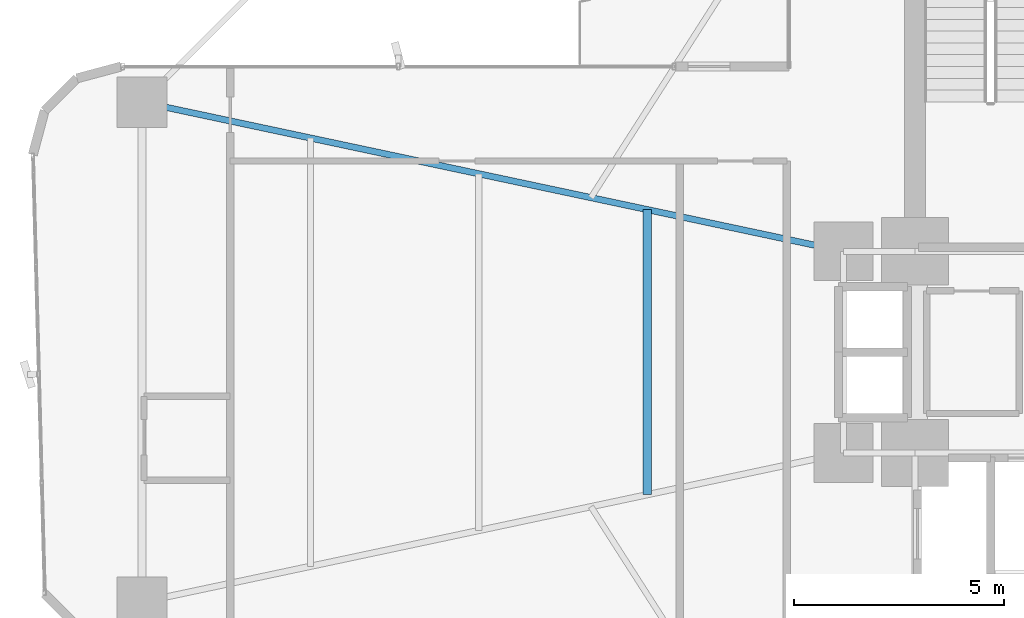
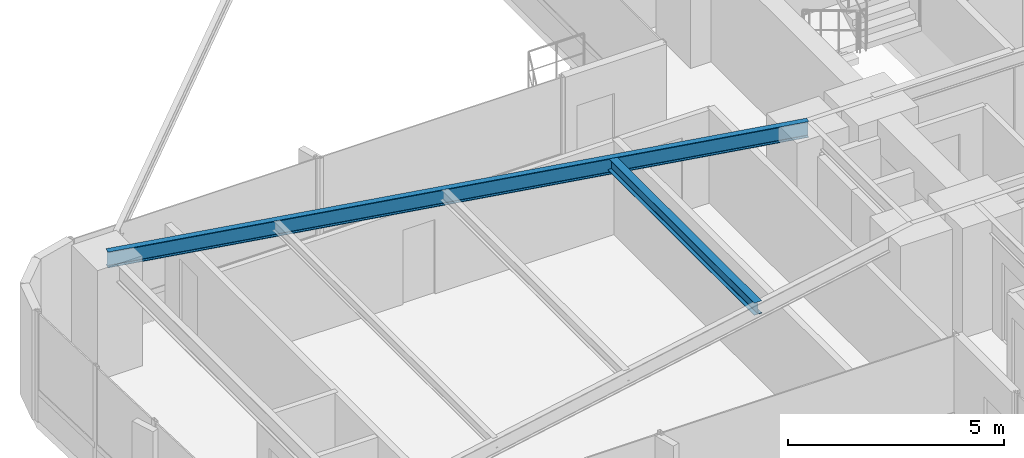
# One storey, part 9 of 26: 2 beams.
"""IFC4 building model written with IfcOpenShell, lengths in metres."""

from ifc_helpers import new_model, si_unit, direction, frame, origin, origin_2d, place, context, subcontext, project, spatial, i_section, extrude, source, transform, mapped, material, material_profile, profile_set, type_object, element, save


model = new_model("IFC4")

# Units and contexts
model_context = context("Model", 3, precision=1e-05, world=origin(), true_north=direction((0.0, 1.0)))
body_context = subcontext(model_context, "Body", "Model", "MODEL_VIEW")
ifc_project = project(units=[si_unit("LENGTHUNIT", "METRE"), si_unit("AREAUNIT", "SQUARE_METRE"), si_unit("VOLUMEUNIT", "CUBIC_METRE"), si_unit("PLANEANGLEUNIT", "RADIAN"), si_unit("MASSUNIT", "GRAM", prefix="KILO")], contexts=[model_context])

# Site, building, storey
site_placement = place(None, origin())
site = spatial("IfcSite", under=ifc_project, at=site_placement, CompositionType="ELEMENT")
building_placement = place(site_placement, origin())
building = spatial("IfcBuilding", under=site, at=building_placement, Name="Sahyath Konkavel Grand Hotel", CompositionType="ELEMENT")
storey_placement = place(building_placement, frame((0.0, 0.0, 61.10009765625)))
storey = spatial("IfcBuildingStorey", under=building, at=storey_placement, Name="L16", CompositionType="ELEMENT", Elevation=61.10009765625)

# Beams
ifc_material = material(Name="Steel E350", Category="steel")
ifc_material_profile_1 = material_profile(ifc_material, i_section(OverallWidth=0.14990234375, OverallDepth=0.449951171875, WebThickness=0.009521484375, FlangeThickness=0.017333984375, FilletRadius=0.014892578125, at=origin_2d()), Name="ISMB 450")
ifc_profile_set_1 = profile_set([ifc_material_profile_1], Name="Steel E350")
beam_type_1 = type_object("IfcBeamType", Name="BM-ISMB450", PredefinedType="BEAM", material=ifc_profile_set_1)
shared_shape_1 = source(origin(), body_context, "Body", "SweptSolid", [
    extrude(i_section(OverallWidth=0.14990234375, OverallDepth=0.449951171875, WebThickness=0.009521484375, FlangeThickness=0.017333984375, FilletRadius=0.014892578125, at=origin_2d()), origin(), (0.0, 0.0, 1.0), 17.072998046875),
])
beam_1_placement = place(storey_placement, frame((-5.5, 2.39990234375, 2.885009765625), z_axis=(-0.978143257225, 0.20793212437, 0.0), x_axis=(-0.20793212437, -0.978143257225, 0.0)))
element("IfcBeam", 1, at=beam_1_placement, inside=storey, type_object=beam_type_1, Name="L16 Cruciform Radial Girder WA", PredefinedType="BEAM", context=body_context, shape_type="MappedRepresentation", body=[
    mapped(shared_shape_1, transform((0.0, 0.0, 0.0), scale=1.0)),
])
ifc_material_profile_2 = material_profile(ifc_material, i_section(OverallWidth=0.199951171875, OverallDepth=0.35009765625, WebThickness=0.008056640625, FlangeThickness=0.011474609375, FilletRadius=0.013916015625, at=origin_2d()), Name="ISWB 350")
ifc_profile_set_2 = profile_set([ifc_material_profile_2], Name="Steel E350")
beam_type_2 = type_object("IfcBeamType", Name="BM-ISWB350", PredefinedType="BEAM", material=ifc_profile_set_2)
shared_shape_2 = source(origin(), body_context, "Body", "SweptSolid", [
    extrude(i_section(OverallWidth=0.199951171875, OverallDepth=0.35009765625, WebThickness=0.008056640625, FlangeThickness=0.011474609375, FilletRadius=0.013916015625, at=origin_2d()), origin(), (0.0, 0.0, 1.0), 6.7880859375),
])
beam_2_placement = place(storey_placement, frame((-10.176025390625, 3.39404296875, 2.934814453125), z_axis=(0.0, -1.0, 0.0), x_axis=(1.0, 0.0, 0.0)))
element("IfcBeam", 2, at=beam_2_placement, inside=storey, type_object=beam_type_2, Name="L16 Secondary Floor Beam W-1", PredefinedType="BEAM", context=body_context, shape_type="MappedRepresentation", body=[
    mapped(shared_shape_2, transform((0.0, 0.0, 0.0), scale=1.0)),
])

save(model, "model.ifc")
